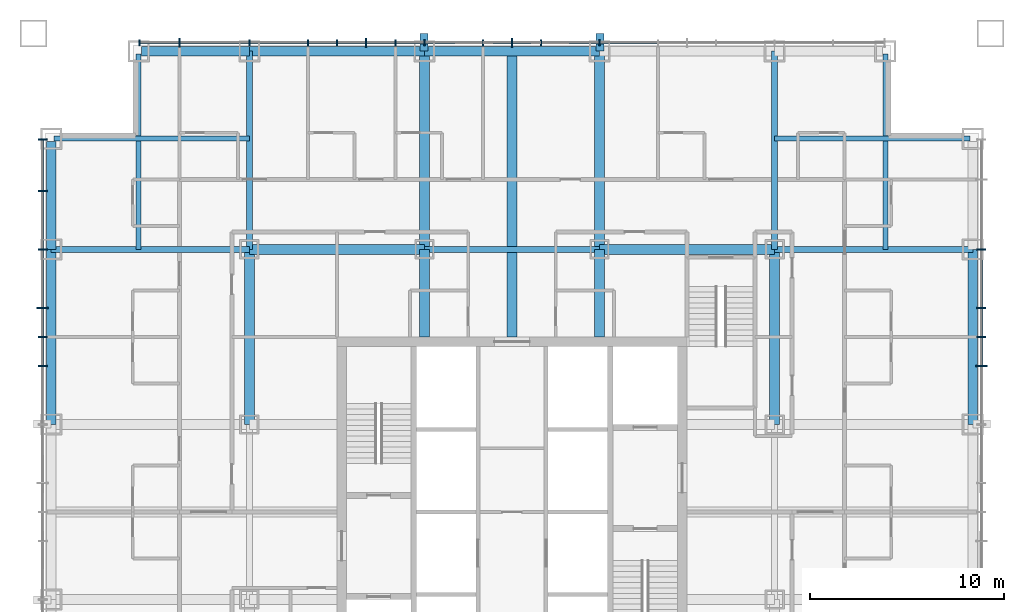
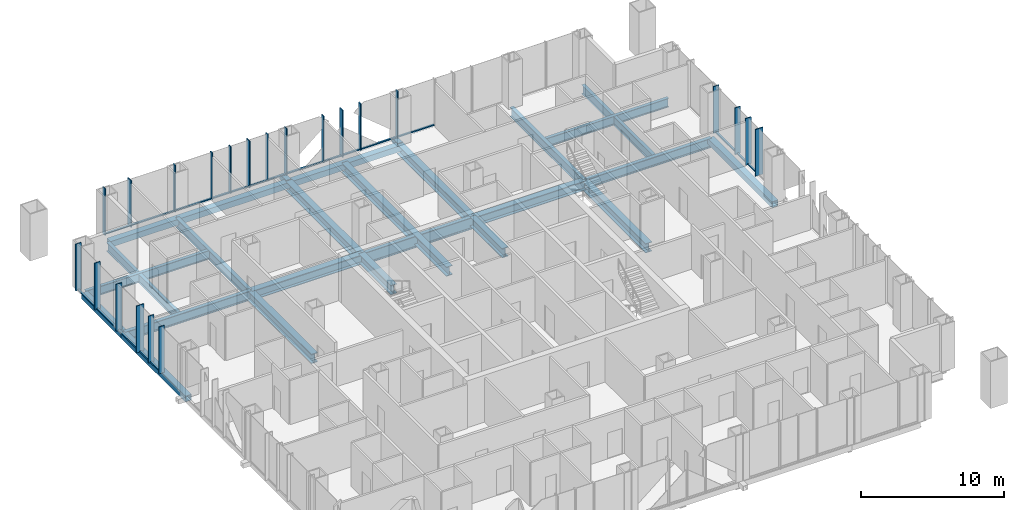
# One storey, part 5 of 16: 44 members, 24 beams, 3 elements without a shape of their own.
"""IFC4 building model written with IfcOpenShell, lengths in metres."""

from ifc_helpers import new_model, si_unit, direction, frame, origin, origin_2d, place, context, subcontext, project, spatial, rectangle, hollow_rectangle, i_section, extrude, material, layer, layer_set, material_profile, profile_set, type_object, element, aggregate, save


model = new_model("IFC4")

# Units and contexts
model_context = context("Model", 3, precision=1e-05, world=origin(), true_north=direction((0.0, 1.0)))
body_context = subcontext(model_context, "Body", "Model", "MODEL_VIEW")
ifc_project = project(units=[si_unit("LENGTHUNIT", "METRE"), si_unit("AREAUNIT", "SQUARE_METRE"), si_unit("VOLUMEUNIT", "CUBIC_METRE"), si_unit("PLANEANGLEUNIT", "RADIAN"), si_unit("MASSUNIT", "GRAM", prefix="KILO")], contexts=[model_context])

# Site, building, storey
site_placement = place(None, origin())
site = spatial("IfcSite", under=ifc_project, at=site_placement, CompositionType="ELEMENT")
building_placement = place(site_placement, origin())
building = spatial("IfcBuilding", under=site, at=building_placement, Name="Malebo Sky Hospital", CompositionType="ELEMENT")
storey_placement = place(building_placement, frame((0.0, 0.0, 116.0)))
storey = spatial("IfcBuildingStorey", under=building, at=storey_placement, Name="L27", CompositionType="ELEMENT", Elevation=116.0)

# Curtain wall, members
ifc_material_1 = material(Name="Anodised aluminium, natural silver", Category="aluminium")
ifc_layer_1 = layer(ifc_material_1, 0.25)
ifc_layer_set_1 = layer_set([ifc_layer_1], Name="WARD CURTAIN WALL NORTH AND SOUTH")
curtain_wall_type_1 = type_object("IfcCurtainWallType", Name="WARD CURTAIN WALL NORTH AND SOUTH", PredefinedType="NOTDEFINED", material=ifc_layer_set_1)
curtain_wall_1_placement = place(storey_placement, origin())
curtain_wall_1 = element("IfcCurtainWall", 1, at=curtain_wall_1_placement, inside=storey, type_object=curtain_wall_type_1, Name="NS curtain wall N", PredefinedType="NOTDEFINED")
ifc_material_profile_1 = material_profile(ifc_material_1, rectangle(XDim=0.14990234375, YDim=0.10009765625, at=origin_2d()), Name="ALUMINIUM TRANSOM 150x100")
ifc_profile_set_1 = profile_set([ifc_material_profile_1], Name="Anodised aluminium, natural silver")
member_type_1 = type_object("IfcMemberType", Name="ALUMINIUM TRANSOM 150x100", PredefinedType="USERDEFINED", material=ifc_profile_set_1)
member_1_placement = place(storey_placement, frame((40.875, 86.135009765625, 0.050048828125), z_axis=(1.0, 0.0, 0.0), x_axis=(0.0, 1.0, 0.0)))
member_1 = element("IfcMember", 2, at=member_1_placement, type_object=member_type_1, Name="Transom 1", ObjectType="TRANSOM", PredefinedType="USERDEFINED", context=body_context, shape_type="SweptSolid", body=[
    extrude(rectangle(XDim=0.14990234375, YDim=0.10009765625, at=origin_2d()), origin(), (0.0, 0.0, 1.0), 1.987548828125),
])
member_2_placement = place(storey_placement, frame((42.9375, 86.135009765625, 0.050048828125), z_axis=(1.0, 0.0, 0.0), x_axis=(0.0, 1.0, 0.0)))
member_2 = element("IfcMember", 3, at=member_2_placement, type_object=member_type_1, Name="Transom 2", ObjectType="TRANSOM", PredefinedType="USERDEFINED", context=body_context, shape_type="SweptSolid", body=[
    extrude(rectangle(XDim=0.14990234375, YDim=0.10009765625, at=origin_2d()), origin(), (0.0, 0.0, 1.0), 3.52490234375),
])
member_3_placement = place(storey_placement, frame((46.53759765625, 86.135009765625, 0.050048828125), z_axis=(1.0, 0.0, 0.0), x_axis=(0.0, 1.0, 0.0)))
member_3 = element("IfcMember", 4, at=member_3_placement, type_object=member_type_1, Name="Transom 3", ObjectType="TRANSOM", PredefinedType="USERDEFINED", context=body_context, shape_type="SweptSolid", body=[
    extrude(rectangle(XDim=0.14990234375, YDim=0.10009765625, at=origin_2d()), origin(), (0.0, 0.0, 1.0), 2.9248046875),
])
member_4_placement = place(storey_placement, frame((49.53759765625, 86.135009765625, 0.050048828125), z_axis=(1.0, 0.0, 0.0), x_axis=(0.0, 1.0, 0.0)))
member_4 = element("IfcMember", 5, at=member_4_placement, type_object=member_type_1, Name="Transom 4", ObjectType="TRANSOM", PredefinedType="USERDEFINED", context=body_context, shape_type="SweptSolid", body=[
    extrude(rectangle(XDim=0.14990234375, YDim=0.10009765625, at=origin_2d()), origin(), (0.0, 0.0, 1.0), 1.4248046875),
])
member_5_placement = place(storey_placement, frame((51.03759765625, 86.135009765625, 0.050048828125), z_axis=(1.0, 0.0, 0.0), x_axis=(0.0, 1.0, 0.0)))
member_5 = element("IfcMember", 6, at=member_5_placement, type_object=member_type_1, Name="Transom 5", ObjectType="TRANSOM", PredefinedType="USERDEFINED", context=body_context, shape_type="SweptSolid", body=[
    extrude(rectangle(XDim=0.14990234375, YDim=0.10009765625, at=origin_2d()), origin(), (0.0, 0.0, 1.0), 1.4248046875),
])
member_6_placement = place(storey_placement, frame((52.53759765625, 86.135009765625, 0.050048828125), z_axis=(1.0, 0.0, 0.0), x_axis=(0.0, 1.0, 0.0)))
member_6 = element("IfcMember", 7, at=member_6_placement, type_object=member_type_1, Name="Transom 6", ObjectType="TRANSOM", PredefinedType="USERDEFINED", context=body_context, shape_type="SweptSolid", body=[
    extrude(rectangle(XDim=0.14990234375, YDim=0.10009765625, at=origin_2d()), origin(), (0.0, 0.0, 1.0), 1.4248046875),
])
member_7_placement = place(storey_placement, frame((54.03759765625, 86.135009765625, 0.050048828125), z_axis=(1.0, 0.0, 0.0), x_axis=(0.0, 1.0, 0.0)))
member_7 = element("IfcMember", 8, at=member_7_placement, type_object=member_type_1, Name="Transom 7", ObjectType="TRANSOM", PredefinedType="USERDEFINED", context=body_context, shape_type="SweptSolid", body=[
    extrude(rectangle(XDim=0.14990234375, YDim=0.10009765625, at=origin_2d()), origin(), (0.0, 0.0, 1.0), 1.4248046875),
])
member_8_placement = place(storey_placement, frame((55.53759765625, 86.135009765625, 0.050048828125), z_axis=(1.0, 0.0, 0.0), x_axis=(0.0, 1.0, 0.0)))
member_8 = element("IfcMember", 9, at=member_8_placement, type_object=member_type_1, Name="Transom 8", ObjectType="TRANSOM", PredefinedType="USERDEFINED", context=body_context, shape_type="SweptSolid", body=[
    extrude(rectangle(XDim=0.14990234375, YDim=0.10009765625, at=origin_2d()), origin(), (0.0, 0.0, 1.0), 2.9248046875),
])
member_9_placement = place(storey_placement, frame((58.53759765625, 86.135009765625, 0.050048828125), z_axis=(1.0, 0.0, 0.0), x_axis=(0.0, 1.0, 0.0)))
member_9 = element("IfcMember", 10, at=member_9_placement, type_object=member_type_1, Name="Transom 9", ObjectType="TRANSOM", PredefinedType="USERDEFINED", context=body_context, shape_type="SweptSolid", body=[
    extrude(rectangle(XDim=0.14990234375, YDim=0.10009765625, at=origin_2d()), origin(), (0.0, 0.0, 1.0), 1.4248046875),
])
member_10_placement = place(storey_placement, frame((60.03759765625, 86.135009765625, 0.050048828125), z_axis=(1.0, 0.0, 0.0), x_axis=(0.0, 1.0, 0.0)))
member_10 = element("IfcMember", 11, at=member_10_placement, type_object=member_type_1, Name="Transom 10", ObjectType="TRANSOM", PredefinedType="USERDEFINED", context=body_context, shape_type="SweptSolid", body=[
    extrude(rectangle(XDim=0.14990234375, YDim=0.10009765625, at=origin_2d()), origin(), (0.0, 0.0, 1.0), 1.4248046875),
])
member_11_placement = place(storey_placement, frame((61.53759765625, 86.135009765625, 0.050048828125), z_axis=(1.0, 0.0, 0.0), x_axis=(0.0, 1.0, 0.0)))
member_11 = element("IfcMember", 12, at=member_11_placement, type_object=member_type_1, Name="Transom 11", ObjectType="TRANSOM", PredefinedType="USERDEFINED", context=body_context, shape_type="SweptSolid", body=[
    extrude(rectangle(XDim=0.14990234375, YDim=0.10009765625, at=origin_2d()), origin(), (0.0, 0.0, 1.0), 2.9248046875),
])
member_12_placement = place(storey_placement, frame((64.53759765625, 86.135009765625, 0.050048828125), z_axis=(1.0, 0.0, 0.0), x_axis=(0.0, 1.0, 0.0)))
member_12 = element("IfcMember", 13, at=member_12_placement, type_object=member_type_1, Name="Transom 12", ObjectType="TRANSOM", PredefinedType="USERDEFINED", context=body_context, shape_type="SweptSolid", body=[
    extrude(rectangle(XDim=0.14990234375, YDim=0.10009765625, at=origin_2d()), origin(), (0.0, 0.0, 1.0), 2.9248046875),
])

ifc_layer_2 = layer(ifc_material_1, 0.25)
ifc_layer_set_2 = layer_set([ifc_layer_2], Name="WARD CURTAIN WALL EAST AND WEST")
curtain_wall_type_2 = type_object("IfcCurtainWallType", Name="WARD CURTAIN WALL EAST AND WEST", PredefinedType="NOTDEFINED", material=ifc_layer_set_2)
curtain_wall_2_placement = place(storey_placement, origin())
curtain_wall_2 = element("IfcCurtainWall", 14, at=curtain_wall_2_placement, inside=storey, type_object=curtain_wall_type_2, Name="EW curtain wall W", PredefinedType="NOTDEFINED")
member_13_placement = place(storey_placement, frame((35.864990234375, 69.53759765625, 0.050048828125), z_axis=(0.0, 1.0, 0.0), x_axis=(-1.0, 0.0, 0.0)))
member_13 = element("IfcMember", 15, at=member_13_placement, type_object=member_type_1, Name="Transom 12", ObjectType="TRANSOM", PredefinedType="USERDEFINED", context=body_context, shape_type="SweptSolid", body=[
    extrude(rectangle(XDim=0.14990234375, YDim=0.10009765625, at=origin_2d()), origin(), (0.0, 0.0, 1.0), 1.4248046875),
])
member_14_placement = place(storey_placement, frame((35.864990234375, 71.03759765625, 0.050048828125), z_axis=(0.0, 1.0, 0.0), x_axis=(-1.0, 0.0, 0.0)))
member_14 = element("IfcMember", 16, at=member_14_placement, type_object=member_type_1, Name="Transom 13", ObjectType="TRANSOM", PredefinedType="USERDEFINED", context=body_context, shape_type="SweptSolid", body=[
    extrude(rectangle(XDim=0.14990234375, YDim=0.10009765625, at=origin_2d()), origin(), (0.0, 0.0, 1.0), 1.4248046875),
])
member_15_placement = place(storey_placement, frame((35.864990234375, 72.53759765625, 0.050048828125), z_axis=(0.0, 1.0, 0.0), x_axis=(-1.0, 0.0, 0.0)))
member_15 = element("IfcMember", 17, at=member_15_placement, type_object=member_type_1, Name="Transom 14", ObjectType="TRANSOM", PredefinedType="USERDEFINED", context=body_context, shape_type="SweptSolid", body=[
    extrude(rectangle(XDim=0.14990234375, YDim=0.10009765625, at=origin_2d()), origin(), (0.0, 0.0, 1.0), 2.9248046875),
])
member_16_placement = place(storey_placement, frame((35.864990234375, 75.53759765625, 0.050048828125), z_axis=(0.0, 1.0, 0.0), x_axis=(-1.0, 0.0, 0.0)))
member_16 = element("IfcMember", 18, at=member_16_placement, type_object=member_type_1, Name="Transom 15", ObjectType="TRANSOM", PredefinedType="USERDEFINED", context=body_context, shape_type="SweptSolid", body=[
    extrude(rectangle(XDim=0.14990234375, YDim=0.10009765625, at=origin_2d()), origin(), (0.0, 0.0, 1.0), 2.9248046875),
])
member_17_placement = place(storey_placement, frame((35.864990234375, 78.53759765625, 0.050048828125), z_axis=(0.0, 1.0, 0.0), x_axis=(-1.0, 0.0, 0.0)))
member_17 = element("IfcMember", 19, at=member_17_placement, type_object=member_type_1, Name="Transom 16", ObjectType="TRANSOM", PredefinedType="USERDEFINED", context=body_context, shape_type="SweptSolid", body=[
    extrude(rectangle(XDim=0.14990234375, YDim=0.10009765625, at=origin_2d()), origin(), (0.0, 0.0, 1.0), 2.58740234375),
])

curtain_wall_3_placement = place(storey_placement, origin())
curtain_wall_3 = element("IfcCurtainWall", 20, at=curtain_wall_3_placement, inside=storey, type_object=curtain_wall_type_2, Name="EW curtain wall E", PredefinedType="NOTDEFINED")
member_18_placement = place(storey_placement, frame((84.135009765625, 75.46240234375, 0.050048828125), z_axis=(0.0, -1.0, 0.0), x_axis=(1.0, 0.0, 0.0)))
member_18 = element("IfcMember", 21, at=member_18_placement, type_object=member_type_1, Name="Transom 3", ObjectType="TRANSOM", PredefinedType="USERDEFINED", context=body_context, shape_type="SweptSolid", body=[
    extrude(rectangle(XDim=0.14990234375, YDim=0.10009765625, at=origin_2d()), origin(), (0.0, 0.0, 1.0), 2.9248046875),
])
member_19_placement = place(storey_placement, frame((84.135009765625, 72.46240234375, 0.050048828125), z_axis=(0.0, -1.0, 0.0), x_axis=(1.0, 0.0, 0.0)))
member_19 = element("IfcMember", 22, at=member_19_placement, type_object=member_type_1, Name="Transom 4", ObjectType="TRANSOM", PredefinedType="USERDEFINED", context=body_context, shape_type="SweptSolid", body=[
    extrude(rectangle(XDim=0.14990234375, YDim=0.10009765625, at=origin_2d()), origin(), (0.0, 0.0, 1.0), 1.4248046875),
])
member_20_placement = place(storey_placement, frame((84.135009765625, 70.96240234375, 0.050048828125), z_axis=(0.0, -1.0, 0.0), x_axis=(1.0, 0.0, 0.0)))
member_20 = element("IfcMember", 23, at=member_20_placement, type_object=member_type_1, Name="Transom 5", ObjectType="TRANSOM", PredefinedType="USERDEFINED", context=body_context, shape_type="SweptSolid", body=[
    extrude(rectangle(XDim=0.14990234375, YDim=0.10009765625, at=origin_2d()), origin(), (0.0, 0.0, 1.0), 1.4248046875),
])

# Members
ifc_material_2 = material(Name="Steel S355", Category="steel")
ifc_material_profile_2 = material_profile(ifc_material_2, hollow_rectangle(XDim=0.39990234375, YDim=0.39990234375, WallThickness=0.02001953125, at=origin_2d()), Name="SHS 400x20")
ifc_profile_set_2 = profile_set([ifc_material_profile_2], Name="Steel S355")
member_type_2 = type_object("IfcMemberType", Name="BRACE STRUT SHS 400x20", PredefinedType="STRUT", material=ifc_profile_set_2)
for number, where, z_axis, x_axis, name in (
    (24, (64.51953125, 86.60009765625, -0.39990234375), (0.0, -1.0, 0.0), (1.0, 0.0, 0.0), "Brace strut BN1 L27"),
    (25, (55.48046875, 86.60009765625, -0.39990234375), (0.0, -1.0, 0.0), (1.0, 0.0, 0.0), "Brace strut BN2 L27"),
):
    element("IfcMember", number, at=place(storey_placement, frame(where, z_axis=z_axis, x_axis=x_axis)), inside=storey, type_object=member_type_2, Name=name, PredefinedType="STRUT", context=body_context, shape_type="SweptSolid", body=[
        extrude(hollow_rectangle(XDim=0.39990234375, YDim=0.39990234375, WallThickness=0.02001953125, at=origin_2d()), origin(), (0.0, 0.0, 1.0), 0.900146484375),
    ])

# Member
ifc_material_profile_3 = material_profile(ifc_material_1, rectangle(XDim=0.074951171875, YDim=0.300048828125, at=origin_2d()), Name="CW1 ALUMINIUM FIN MULLION 75x300")
ifc_profile_set_3 = profile_set([ifc_material_profile_3], Name="Anodised aluminium, natural silver")
member_type_3 = type_object("IfcMemberType", Name="CW1 ALUMINIUM FIN MULLION 75x300", PredefinedType="MULLION", material=ifc_profile_set_3)
member_21_placement = place(storey_placement, frame((40.83740234375, 86.135009765625, 0.0), z_axis=(0.0, 0.0, 1.0), x_axis=(1.0, 0.0, 0.0)))
member_21 = element("IfcMember", 26, at=member_21_placement, type_object=member_type_3, Name="Fin mullion 1", PredefinedType="MULLION", context=body_context, shape_type="SweptSolid", body=[
    extrude(rectangle(XDim=0.074951171875, YDim=0.300048828125, at=origin_2d()), origin(), (0.0, 0.0, 1.0), 4.0),
])

member_22_placement = place(storey_placement, frame((46.5, 86.135009765625, 0.0), z_axis=(0.0, 0.0, 1.0), x_axis=(1.0, 0.0, 0.0)))
member_22 = element("IfcMember", 27, at=member_22_placement, type_object=member_type_3, Name="Fin mullion 3", PredefinedType="MULLION", context=body_context, shape_type="SweptSolid", body=[
    extrude(rectangle(XDim=0.074951171875, YDim=0.300048828125, at=origin_2d()), origin(), (0.0, 0.0, 1.0), 4.0),
])

member_23_placement = place(storey_placement, frame((49.5, 86.135009765625, 0.0), z_axis=(0.0, 0.0, 1.0), x_axis=(1.0, 0.0, 0.0)))
member_23 = element("IfcMember", 28, at=member_23_placement, type_object=member_type_3, Name="Fin mullion 4", PredefinedType="MULLION", context=body_context, shape_type="SweptSolid", body=[
    extrude(rectangle(XDim=0.074951171875, YDim=0.300048828125, at=origin_2d()), origin(), (0.0, 0.0, 1.0), 4.0),
])

member_24_placement = place(storey_placement, frame((51.0, 86.135009765625, 0.0), z_axis=(0.0, 0.0, 1.0), x_axis=(1.0, 0.0, 0.0)))
member_24 = element("IfcMember", 29, at=member_24_placement, type_object=member_type_3, Name="Fin mullion 5", PredefinedType="MULLION", context=body_context, shape_type="SweptSolid", body=[
    extrude(rectangle(XDim=0.074951171875, YDim=0.300048828125, at=origin_2d()), origin(), (0.0, 0.0, 1.0), 4.0),
])

member_25_placement = place(storey_placement, frame((54.0, 86.135009765625, 0.0), z_axis=(0.0, 0.0, 1.0), x_axis=(1.0, 0.0, 0.0)))
member_25 = element("IfcMember", 30, at=member_25_placement, type_object=member_type_3, Name="Fin mullion 7", PredefinedType="MULLION", context=body_context, shape_type="SweptSolid", body=[
    extrude(rectangle(XDim=0.074951171875, YDim=0.300048828125, at=origin_2d()), origin(), (0.0, 0.0, 1.0), 4.0),
])

member_26_placement = place(storey_placement, frame((55.5, 86.135009765625, 0.0), z_axis=(0.0, 0.0, 1.0), x_axis=(1.0, 0.0, 0.0)))
member_26 = element("IfcMember", 31, at=member_26_placement, type_object=member_type_3, Name="Fin mullion 8", PredefinedType="MULLION", context=body_context, shape_type="SweptSolid", body=[
    extrude(rectangle(XDim=0.074951171875, YDim=0.300048828125, at=origin_2d()), origin(), (0.0, 0.0, 1.0), 4.0),
])

member_27_placement = place(storey_placement, frame((58.5, 86.135009765625, 0.0), z_axis=(0.0, 0.0, 1.0), x_axis=(1.0, 0.0, 0.0)))
member_27 = element("IfcMember", 32, at=member_27_placement, type_object=member_type_3, Name="Fin mullion 9", PredefinedType="MULLION", context=body_context, shape_type="SweptSolid", body=[
    extrude(rectangle(XDim=0.074951171875, YDim=0.300048828125, at=origin_2d()), origin(), (0.0, 0.0, 1.0), 4.0),
])

member_28_placement = place(storey_placement, frame((61.5, 86.135009765625, 0.0), z_axis=(0.0, 0.0, 1.0), x_axis=(1.0, 0.0, 0.0)))
member_28 = element("IfcMember", 33, at=member_28_placement, type_object=member_type_3, Name="Fin mullion 11", PredefinedType="MULLION", context=body_context, shape_type="SweptSolid", body=[
    extrude(rectangle(XDim=0.074951171875, YDim=0.300048828125, at=origin_2d()), origin(), (0.0, 0.0, 1.0), 4.0),
])

member_29_placement = place(storey_placement, frame((64.5, 86.135009765625, 0.0), z_axis=(0.0, 0.0, 1.0), x_axis=(1.0, 0.0, 0.0)))
member_29 = element("IfcMember", 34, at=member_29_placement, type_object=member_type_3, Name="Fin mullion 12", PredefinedType="MULLION", context=body_context, shape_type="SweptSolid", body=[
    extrude(rectangle(XDim=0.074951171875, YDim=0.300048828125, at=origin_2d()), origin(), (0.0, 0.0, 1.0), 4.0),
])

ifc_material_profile_4 = material_profile(ifc_material_1, rectangle(XDim=0.074951171875, YDim=0.449951171875, at=origin_2d()), Name="CW1 ALUMINIUM FIN MULLION 75x450")
ifc_profile_set_4 = profile_set([ifc_material_profile_4], Name="Anodised aluminium, natural silver")
member_type_4 = type_object("IfcMemberType", Name="CW1 ALUMINIUM FIN MULLION 75x450", PredefinedType="MULLION", material=ifc_profile_set_4)
member_30_placement = place(storey_placement, frame((42.89990234375, 86.135009765625, 0.0), z_axis=(0.0, 0.0, 1.0), x_axis=(1.0, 0.0, 0.0)))
member_30 = element("IfcMember", 35, at=member_30_placement, type_object=member_type_4, Name="Fin mullion 2", PredefinedType="MULLION", context=body_context, shape_type="SweptSolid", body=[
    extrude(rectangle(XDim=0.074951171875, YDim=0.449951171875, at=origin_2d()), origin(), (0.0, 0.0, 1.0), 4.0),
])

member_31_placement = place(storey_placement, frame((52.5, 86.135009765625, 0.0), z_axis=(0.0, 0.0, 1.0), x_axis=(1.0, 0.0, 0.0)))
member_31 = element("IfcMember", 36, at=member_31_placement, type_object=member_type_4, Name="Fin mullion 6", PredefinedType="MULLION", context=body_context, shape_type="SweptSolid", body=[
    extrude(rectangle(XDim=0.074951171875, YDim=0.449951171875, at=origin_2d()), origin(), (0.0, 0.0, 1.0), 4.0),
])

member_32_placement = place(storey_placement, frame((60.0, 86.135009765625, 0.0), z_axis=(0.0, 0.0, 1.0), x_axis=(1.0, 0.0, 0.0)))
member_32 = element("IfcMember", 37, at=member_32_placement, type_object=member_type_4, Name="Fin mullion 10", PredefinedType="MULLION", context=body_context, shape_type="SweptSolid", body=[
    extrude(rectangle(XDim=0.074951171875, YDim=0.449951171875, at=origin_2d()), origin(), (0.0, 0.0, 1.0), 4.0),
])

aggregate(curtain_wall_1, [member_21, member_30, member_22, member_23, member_24, member_31, member_25, member_26, member_27, member_32, member_28, member_29, member_1, member_2, member_3, member_4, member_5, member_6, member_7, member_8, member_9, member_10, member_11, member_12])

ifc_material_profile_5 = material_profile(ifc_material_1, rectangle(XDim=0.074951171875, YDim=0.449951171875, at=origin_2d()), Name="CW2 ALUMINIUM FIN MULLION 75x450")
ifc_profile_set_5 = profile_set([ifc_material_profile_5], Name="Anodised aluminium, natural silver")
member_type_5 = type_object("IfcMemberType", Name="CW2 ALUMINIUM FIN MULLION 75x450", PredefinedType="MULLION", material=ifc_profile_set_5)
member_33_placement = place(storey_placement, frame((35.864990234375, 69.5, 0.0), z_axis=(0.0, 0.0, 1.0), x_axis=(0.0, 1.0, 0.0)))
member_33 = element("IfcMember", 38, at=member_33_placement, type_object=member_type_5, Name="Fin mullion 12", PredefinedType="MULLION", context=body_context, shape_type="SweptSolid", body=[
    extrude(rectangle(XDim=0.074951171875, YDim=0.449951171875, at=origin_2d()), origin(), (0.0, 0.0, 1.0), 4.0),
])

member_34_placement = place(storey_placement, frame((35.864990234375, 71.0, 0.0), z_axis=(0.0, 0.0, 1.0), x_axis=(0.0, 1.0, 0.0)))
member_34 = element("IfcMember", 39, at=member_34_placement, type_object=member_type_5, Name="Fin mullion 13", PredefinedType="MULLION", context=body_context, shape_type="SweptSolid", body=[
    extrude(rectangle(XDim=0.074951171875, YDim=0.449951171875, at=origin_2d()), origin(), (0.0, 0.0, 1.0), 4.0),
])

member_35_placement = place(storey_placement, frame((35.864990234375, 75.5, 0.0), z_axis=(0.0, 0.0, 1.0), x_axis=(0.0, 1.0, 0.0)))
member_35 = element("IfcMember", 40, at=member_35_placement, type_object=member_type_5, Name="Fin mullion 15", PredefinedType="MULLION", context=body_context, shape_type="SweptSolid", body=[
    extrude(rectangle(XDim=0.074951171875, YDim=0.449951171875, at=origin_2d()), origin(), (0.0, 0.0, 1.0), 4.0),
])

member_36_placement = place(storey_placement, frame((35.864990234375, 78.5, 0.0), z_axis=(0.0, 0.0, 1.0), x_axis=(0.0, 1.0, 0.0)))
member_36 = element("IfcMember", 41, at=member_36_placement, type_object=member_type_5, Name="Fin mullion 16", PredefinedType="MULLION", context=body_context, shape_type="SweptSolid", body=[
    extrude(rectangle(XDim=0.074951171875, YDim=0.449951171875, at=origin_2d()), origin(), (0.0, 0.0, 1.0), 4.0),
])

member_37_placement = place(storey_placement, frame((35.864990234375, 81.16259765625, 0.0), z_axis=(0.0, 0.0, 1.0), x_axis=(0.0, 1.0, 0.0)))
member_37 = element("IfcMember", 42, at=member_37_placement, type_object=member_type_5, Name="Fin mullion 17", PredefinedType="MULLION", context=body_context, shape_type="SweptSolid", body=[
    extrude(rectangle(XDim=0.074951171875, YDim=0.449951171875, at=origin_2d()), origin(), (0.0, 0.0, 1.0), 4.0),
])

member_38_placement = place(storey_placement, frame((84.135009765625, 75.5, 0.0), z_axis=(0.0, 0.0, 1.0), x_axis=(0.0, -1.0, 0.0)))
member_38 = element("IfcMember", 43, at=member_38_placement, type_object=member_type_5, Name="Fin mullion 3", PredefinedType="MULLION", context=body_context, shape_type="SweptSolid", body=[
    extrude(rectangle(XDim=0.074951171875, YDim=0.449951171875, at=origin_2d()), origin(), (0.0, 0.0, 1.0), 4.0),
])

member_39_placement = place(storey_placement, frame((84.135009765625, 72.5, 0.0), z_axis=(0.0, 0.0, 1.0), x_axis=(0.0, -1.0, 0.0)))
member_39 = element("IfcMember", 44, at=member_39_placement, type_object=member_type_5, Name="Fin mullion 4", PredefinedType="MULLION", context=body_context, shape_type="SweptSolid", body=[
    extrude(rectangle(XDim=0.074951171875, YDim=0.449951171875, at=origin_2d()), origin(), (0.0, 0.0, 1.0), 4.0),
])

member_40_placement = place(storey_placement, frame((84.135009765625, 71.0, 0.0), z_axis=(0.0, 0.0, 1.0), x_axis=(0.0, -1.0, 0.0)))
member_40 = element("IfcMember", 45, at=member_40_placement, type_object=member_type_5, Name="Fin mullion 5", PredefinedType="MULLION", context=body_context, shape_type="SweptSolid", body=[
    extrude(rectangle(XDim=0.074951171875, YDim=0.449951171875, at=origin_2d()), origin(), (0.0, 0.0, 1.0), 4.0),
])

ifc_material_profile_6 = material_profile(ifc_material_1, rectangle(XDim=0.074951171875, YDim=0.60009765625, at=origin_2d()), Name="CW2 ALUMINIUM FIN MULLION 75x600")
ifc_profile_set_6 = profile_set([ifc_material_profile_6], Name="Anodised aluminium, natural silver")
member_type_6 = type_object("IfcMemberType", Name="CW2 ALUMINIUM FIN MULLION 75x600", PredefinedType="MULLION", material=ifc_profile_set_6)
member_41_placement = place(storey_placement, frame((35.864990234375, 72.5, 0.0), z_axis=(0.0, 0.0, 1.0), x_axis=(0.0, 1.0, 0.0)))
member_41 = element("IfcMember", 46, at=member_41_placement, type_object=member_type_6, Name="Fin mullion 14", PredefinedType="MULLION", context=body_context, shape_type="SweptSolid", body=[
    extrude(rectangle(XDim=0.074951171875, YDim=0.60009765625, at=origin_2d()), origin(), (0.0, 0.0, 1.0), 4.0),
])

aggregate(curtain_wall_2, [member_33, member_34, member_41, member_35, member_36, member_37, member_13, member_14, member_15, member_16, member_17])

member_42_placement = place(storey_placement, frame((84.135009765625, 69.5, 0.0), z_axis=(0.0, 0.0, 1.0), x_axis=(0.0, -1.0, 0.0)))
member_42 = element("IfcMember", 47, at=member_42_placement, type_object=member_type_6, Name="Fin mullion 6", PredefinedType="MULLION", context=body_context, shape_type="SweptSolid", body=[
    extrude(rectangle(XDim=0.074951171875, YDim=0.60009765625, at=origin_2d()), origin(), (0.0, 0.0, 1.0), 4.0),
])

aggregate(curtain_wall_3, [member_38, member_39, member_40, member_42, member_18, member_19, member_20])

# Beams
ifc_material_3 = material(Name="Steel S460", Category="steel")
ifc_material_profile_7 = material_profile(ifc_material_3, hollow_rectangle(XDim=0.5, YDim=0.5, WallThickness=0.030029296875, at=origin_2d()), Name="BOX 500x500x30")
ifc_profile_set_7 = profile_set([ifc_material_profile_7], Name="Steel S460")
beam_type_1 = type_object("IfcBeamType", Name="EDGE BEAM BOX 500x500x30", PredefinedType="BEAM", material=ifc_profile_set_7)
beam_1_placement = place(storey_placement, frame((36.300048828125, 66.5, -0.5), z_axis=(0.0, 1.0, 0.0), x_axis=(-1.0, 0.0, 0.0)))
element("IfcBeam", 48, at=beam_1_placement, inside=storey, type_object=beam_type_1, Name="Beam 003 L27", PredefinedType="BEAM", context=body_context, shape_type="SweptSolid", body=[
    extrude(hollow_rectangle(XDim=0.5, YDim=0.5, WallThickness=0.030029296875, at=origin_2d()), origin(), (0.0, 0.0, 1.0), 9.0),
])
beam_2_placement = place(storey_placement, frame((36.300048828125, 75.5, -0.5), z_axis=(0.0, 1.0, 0.0), x_axis=(-1.0, 0.0, 0.0)))
element("IfcBeam", 49, at=beam_2_placement, inside=storey, type_object=beam_type_1, Name="Beam 004 L27", PredefinedType="BEAM", context=body_context, shape_type="SweptSolid", body=[
    extrude(hollow_rectangle(XDim=0.5, YDim=0.5, WallThickness=0.030029296875, at=origin_2d()), origin(), (0.0, 0.0, 1.0), 5.550048828125),
])
beam_3_placement = place(storey_placement, frame((83.699951171875, 66.5, -0.5), z_axis=(0.0, 1.0, 0.0), x_axis=(-1.0, 0.0, 0.0)))
element("IfcBeam", 50, at=beam_3_placement, inside=storey, type_object=beam_type_1, Name="Beam 032 L27", PredefinedType="BEAM", context=body_context, shape_type="SweptSolid", body=[
    extrude(hollow_rectangle(XDim=0.5, YDim=0.5, WallThickness=0.030029296875, at=origin_2d()), origin(), (0.0, 0.0, 1.0), 9.0),
])
beam_4_placement = place(storey_placement, frame((40.949951171875, 85.699951171875, -0.5), z_axis=(1.0, 0.0, 0.0), x_axis=(0.0, 1.0, 0.0)))
element("IfcBeam", 51, at=beam_4_placement, inside=storey, type_object=beam_type_1, Name="Beam 063 L27", PredefinedType="BEAM", context=body_context, shape_type="SweptSolid", body=[
    extrude(hollow_rectangle(XDim=0.5, YDim=0.5, WallThickness=0.030029296875, at=origin_2d()), origin(), (0.0, 0.0, 1.0), 5.550048828125),
])
for number, where, z_axis, x_axis, name in (
    (52, (46.5, 85.699951171875, -0.5), (1.0, 0.0, 0.0), (0.0, 1.0, 0.0), "Beam 064 L27"),
    (53, (55.5, 85.699951171875, -0.5), (1.0, 0.0, 0.0), (0.0, 1.0, 0.0), "Beam 065 L27"),
):
    element("IfcBeam", number, at=place(storey_placement, frame(where, z_axis=z_axis, x_axis=x_axis)), inside=storey, type_object=beam_type_1, Name=name, PredefinedType="BEAM", context=body_context, shape_type="SweptSolid", body=[
        extrude(hollow_rectangle(XDim=0.5, YDim=0.5, WallThickness=0.030029296875, at=origin_2d()), origin(), (0.0, 0.0, 1.0), 9.0),
    ])
ifc_material_profile_8 = material_profile(ifc_material_2, i_section(OverallWidth=0.262939453125, OverallDepth=0.7529296875, WebThickness=0.011474609375, FlangeThickness=0.01708984375, FilletRadius=0.01708984375, at=origin_2d()), Name="IPE 750x137")
ifc_profile_set_8 = profile_set([ifc_material_profile_8], Name="Steel S355")
beam_type_2 = type_object("IfcBeamType", Name="FLOOR BEAM IPE 750x137", PredefinedType="BEAM", material=ifc_profile_set_8)
for number, where, z_axis, x_axis, name in (
    (54, (40.800048828125, 75.5, -0.62646484375), (0.0, 1.0, 0.0), (-1.0, 0.0, 0.0), "Beam 006 L27"),
    (55, (79.199951171875, 75.5, -0.62646484375), (0.0, 1.0, 0.0), (-1.0, 0.0, 0.0), "Beam 028 L27"),
    (56, (36.449951171875, 81.199951171875, -0.62646484375), (1.0, 0.0, 0.0), (0.0, 1.0, 0.0), "Beam 061 L27"),
    (57, (73.5, 81.199951171875, -0.62646484375), (1.0, 0.0, 0.0), (0.0, 1.0, 0.0), "Beam 062 L27"),
):
    element("IfcBeam", number, at=place(storey_placement, frame(where, z_axis=z_axis, x_axis=x_axis)), inside=storey, type_object=beam_type_2, Name=name, PredefinedType="BEAM", context=body_context, shape_type="SweptSolid", body=[
        extrude(i_section(OverallWidth=0.262939453125, OverallDepth=0.7529296875, WebThickness=0.011474609375, FlangeThickness=0.01708984375, FilletRadius=0.01708984375, at=origin_2d()), origin(), (0.0, 0.0, 1.0), 10.050048828125),
    ])
ifc_material_profile_9 = material_profile(ifc_material_2, i_section(OverallWidth=0.5, OverallDepth=0.800048828125, WebThickness=0.030029296875, FlangeThickness=0.050048828125, at=origin_2d()), Name="PG 800x500x30x50")
ifc_profile_set_9 = profile_set([ifc_material_profile_9], Name="Steel S355")
beam_type_3 = type_object("IfcBeamType", Name="FLOOR BEAM PG 800x500x30x50", PredefinedType="BEAM", material=ifc_profile_set_9)
beam_5_placement = place(storey_placement, frame((46.5, 66.5, -0.64990234375), z_axis=(0.0, 1.0, 0.0), x_axis=(-1.0, 0.0, 0.0)))
element("IfcBeam", 58, at=beam_5_placement, inside=storey, type_object=beam_type_3, Name="Beam 010 L27", PredefinedType="BEAM", context=body_context, shape_type="SweptSolid", body=[
    extrude(i_section(OverallWidth=0.5, OverallDepth=0.800048828125, WebThickness=0.030029296875, FlangeThickness=0.050048828125, at=origin_2d()), origin(), (0.0, 0.0, 1.0), 9.0),
])
beam_6_placement = place(storey_placement, frame((55.5, 71.0, -0.64990234375), z_axis=(0.0, 1.0, 0.0), x_axis=(-1.0, 0.0, 0.0)))
element("IfcBeam", 59, at=beam_6_placement, inside=storey, type_object=beam_type_3, Name="Beam 014 L27", PredefinedType="BEAM", context=body_context, shape_type="SweptSolid", body=[
    extrude(i_section(OverallWidth=0.5, OverallDepth=0.800048828125, WebThickness=0.030029296875, FlangeThickness=0.050048828125, at=origin_2d()), origin(), (0.0, 0.0, 1.0), 4.5),
])
beam_7_placement = place(storey_placement, frame((55.5, 75.5, -0.64990234375), z_axis=(0.0, 1.0, 0.0), x_axis=(-1.0, 0.0, 0.0)))
element("IfcBeam", 60, at=beam_7_placement, inside=storey, type_object=beam_type_3, Name="Beam 015 L27", PredefinedType="BEAM", context=body_context, shape_type="SweptSolid", body=[
    extrude(i_section(OverallWidth=0.5, OverallDepth=0.800048828125, WebThickness=0.030029296875, FlangeThickness=0.050048828125, at=origin_2d()), origin(), (0.0, 0.0, 1.0), 10.199951171875),
])
beam_8_placement = place(storey_placement, frame((60.0, 71.0, -0.64990234375), z_axis=(0.0, 1.0, 0.0), x_axis=(-1.0, 0.0, 0.0)))
element("IfcBeam", 61, at=beam_8_placement, inside=storey, type_object=beam_type_3, Name="Beam 017 L27", PredefinedType="BEAM", context=body_context, shape_type="SweptSolid", body=[
    extrude(i_section(OverallWidth=0.5, OverallDepth=0.800048828125, WebThickness=0.030029296875, FlangeThickness=0.050048828125, at=origin_2d()), origin(), (0.0, 0.0, 1.0), 14.699951171875),
])
beam_9_placement = place(storey_placement, frame((64.5, 71.0, -0.64990234375), z_axis=(0.0, 1.0, 0.0), x_axis=(-1.0, 0.0, 0.0)))
element("IfcBeam", 62, at=beam_9_placement, inside=storey, type_object=beam_type_3, Name="Beam 020 L27", PredefinedType="BEAM", context=body_context, shape_type="SweptSolid", body=[
    extrude(i_section(OverallWidth=0.5, OverallDepth=0.800048828125, WebThickness=0.030029296875, FlangeThickness=0.050048828125, at=origin_2d()), origin(), (0.0, 0.0, 1.0), 4.5),
])
beam_10_placement = place(storey_placement, frame((64.5, 75.5, -0.64990234375), z_axis=(0.0, 1.0, 0.0), x_axis=(-1.0, 0.0, 0.0)))
element("IfcBeam", 63, at=beam_10_placement, inside=storey, type_object=beam_type_3, Name="Beam 021 L27", PredefinedType="BEAM", context=body_context, shape_type="SweptSolid", body=[
    extrude(i_section(OverallWidth=0.5, OverallDepth=0.800048828125, WebThickness=0.030029296875, FlangeThickness=0.050048828125, at=origin_2d()), origin(), (0.0, 0.0, 1.0), 10.199951171875),
])
for number, where, z_axis, x_axis, name in (
    (64, (73.5, 66.5, -0.64990234375), (0.0, 1.0, 0.0), (-1.0, 0.0, 0.0), "Beam 025 L27"),
    (65, (46.5, 75.5, -0.64990234375), (1.0, 0.0, 0.0), (0.0, 1.0, 0.0), "Beam 057 L27"),
    (66, (64.5, 75.5, -0.64990234375), (1.0, 0.0, 0.0), (0.0, 1.0, 0.0), "Beam 059 L27"),
):
    element("IfcBeam", number, at=place(storey_placement, frame(where, z_axis=z_axis, x_axis=x_axis)), inside=storey, type_object=beam_type_3, Name=name, PredefinedType="BEAM", context=body_context, shape_type="SweptSolid", body=[
        extrude(i_section(OverallWidth=0.5, OverallDepth=0.800048828125, WebThickness=0.030029296875, FlangeThickness=0.050048828125, at=origin_2d()), origin(), (0.0, 0.0, 1.0), 9.0),
    ])
ifc_material_profile_10 = material_profile(ifc_material_2, i_section(OverallWidth=0.300048828125, OverallDepth=0.800048828125, WebThickness=0.017578125, FlangeThickness=0.032958984375, FilletRadius=0.030029296875, at=origin_2d()), Name="HEB 800")
ifc_profile_set_10 = profile_set([ifc_material_profile_10], Name="Steel S355")
beam_type_4 = type_object("IfcBeamType", Name="FLOOR GIRDER HEB 800", PredefinedType="BEAM", material=ifc_profile_set_10)
for number, where, z_axis, x_axis, name in (
    (67, (46.5, 75.5, -0.64990234375), (0.0, 1.0, 0.0), (-1.0, 0.0, 0.0), "Beam 011 L27"),
    (68, (73.5, 75.5, -0.64990234375), (0.0, 1.0, 0.0), (-1.0, 0.0, 0.0), "Beam 026 L27"),
    (69, (36.300048828125, 75.5, -0.64990234375), (1.0, 0.0, 0.0), (0.0, 1.0, 0.0), "Beam 056 L27"),
    (70, (73.5, 75.5, -0.64990234375), (1.0, 0.0, 0.0), (0.0, 1.0, 0.0), "Beam 060 L27"),
):
    element("IfcBeam", number, at=place(storey_placement, frame(where, z_axis=z_axis, x_axis=x_axis)), inside=storey, type_object=beam_type_4, Name=name, PredefinedType="BEAM", context=body_context, shape_type="SweptSolid", body=[
        extrude(i_section(OverallWidth=0.300048828125, OverallDepth=0.800048828125, WebThickness=0.017578125, FlangeThickness=0.032958984375, FilletRadius=0.030029296875, at=origin_2d()), origin(), (0.0, 0.0, 1.0), 10.199951171875),
    ])
ifc_material_profile_11 = material_profile(ifc_material_2, i_section(OverallWidth=0.300048828125, OverallDepth=1.0, WebThickness=0.01904296875, FlangeThickness=0.035888671875, FilletRadius=0.030029296875, at=origin_2d()), Name="HEB 1000")
ifc_profile_set_11 = profile_set([ifc_material_profile_11], Name="Steel S355")
beam_type_5 = type_object("IfcBeamType", Name="RING GIRDER HEB 1000", PredefinedType="BEAM", material=ifc_profile_set_11)
beam_11_placement = place(storey_placement, frame((55.5, 75.5, -0.75), z_axis=(1.0, 0.0, 0.0), x_axis=(0.0, 1.0, 0.0)))
element("IfcBeam", 71, at=beam_11_placement, inside=storey, type_object=beam_type_5, Name="Beam 058 L27", PredefinedType="BEAM", context=body_context, shape_type="SweptSolid", body=[
    extrude(i_section(OverallWidth=0.300048828125, OverallDepth=1.0, WebThickness=0.01904296875, FlangeThickness=0.035888671875, FilletRadius=0.030029296875, at=origin_2d()), origin(), (0.0, 0.0, 1.0), 9.0),
])

save(model, "model.ifc")
